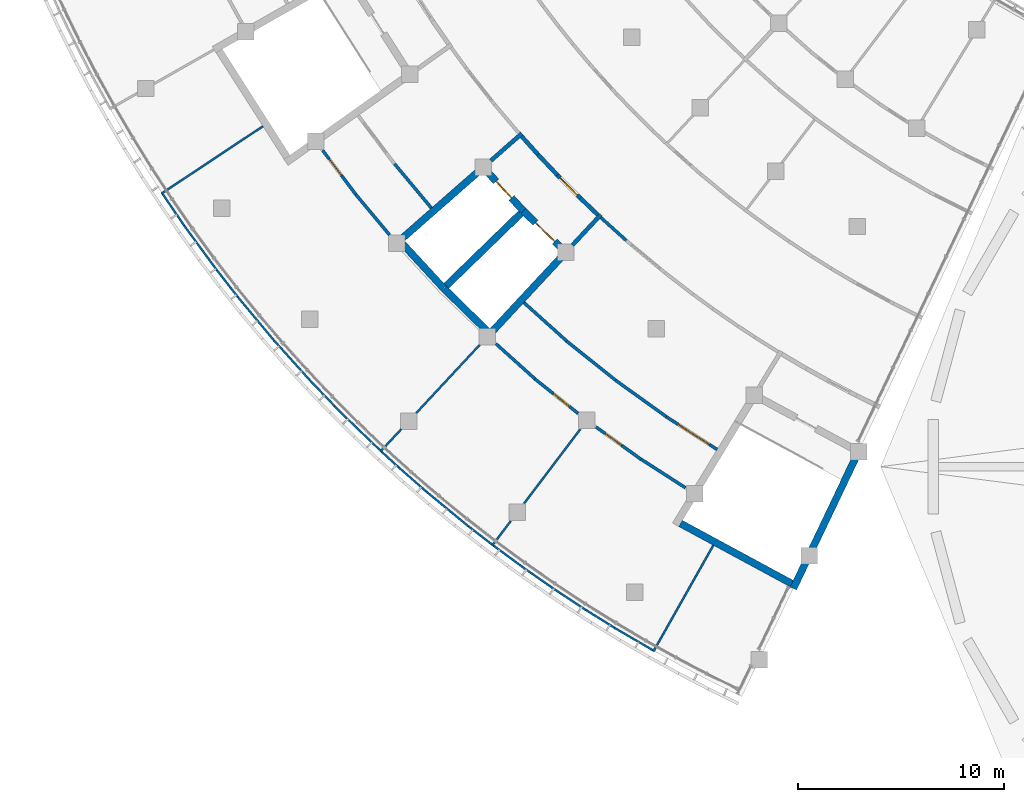
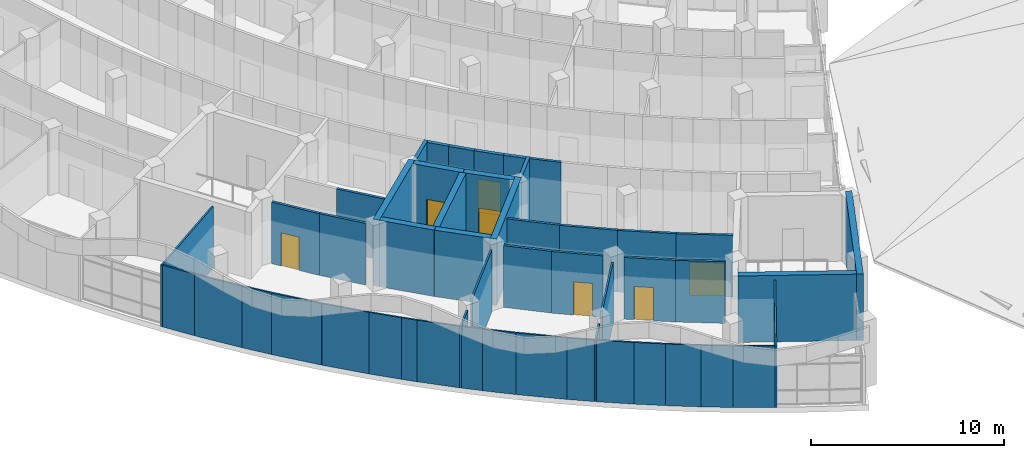
# One storey, part 63 of 137: 50 walls, 7 doors, 7 openings.
"""IFC4 building model written with IfcOpenShell, lengths in metres."""

from ifc_helpers import new_model, si_unit, direction, frame, frame_2d, origin, place, context, subcontext, project, spatial, rectangle, extrude, material, layer, layer_set, type_object, element, fill, save


model = new_model("IFC4")

# Units and contexts
model_context = context("Model", 3, precision=1e-05, world=origin(), true_north=direction((0.0, 1.0)))
body_context = subcontext(model_context, "Body", "Model", "MODEL_VIEW")
ifc_project = project(units=[si_unit("LENGTHUNIT", "METRE"), si_unit("AREAUNIT", "SQUARE_METRE"), si_unit("VOLUMEUNIT", "CUBIC_METRE"), si_unit("PLANEANGLEUNIT", "RADIAN"), si_unit("MASSUNIT", "GRAM", prefix="KILO")], contexts=[model_context])

# Site, building, storey
site_placement = place(None, origin())
site = spatial("IfcSite", under=ifc_project, at=site_placement, CompositionType="ELEMENT")
building_placement = place(site_placement, origin())
building = spatial("IfcBuilding", under=site, at=building_placement, Name="Bougainvillea Quay General Hospital", CompositionType="ELEMENT")
storey_placement = place(building_placement, frame((0.0, 0.0, 16.800048828125)))
storey = spatial("IfcBuildingStorey", under=building, at=storey_placement, Name="L03", CompositionType="ELEMENT", Elevation=16.800048828125)

# Walls
ifc_material_1 = material(Name="Gypsum board partition on steel studs", Category="steel")
ifc_layer_1 = layer(ifc_material_1, 0.10009765625)
ifc_layer_set_1 = layer_set([ifc_layer_1], Name="Gypsum board partition on steel studs")
wall_type_1 = type_object("IfcWallType", Name="Partition 100 Gypsum board partition EI 30", PredefinedType="PARTITIONING", material=ifc_layer_set_1)
wall_1_placement = place(storey_placement, frame((61.48681640625, 74.719482421875, 0.0), z_axis=(0.0, 0.0, 1.0), x_axis=(0.681355821593, 0.731952351168, 0.0)))
element("IfcWall", 1, at=wall_1_placement, inside=storey, type_object=wall_type_1, Name="Partition 100 mm EI 30", PredefinedType="PARTITIONING", context=body_context, shape_type="SweptSolid", body=[
    extrude(rectangle(XDim=1.51025390625, YDim=0.10009765625, at=frame_2d((0.755126953125, 0.0))), origin(), (0.0, 0.0, 1.0), 3.89990234375),
])
wall_2_placement = place(storey_placement, frame((63.244140625, 76.607421875, 0.0), z_axis=(0.0, 0.0, 1.0), x_axis=(0.681263193371, 0.732038565485, 0.0)))
element("IfcWall", 2, at=wall_2_placement, inside=storey, type_object=wall_type_1, Name="Partition 100 mm EI 30", PredefinedType="PARTITIONING", context=body_context, shape_type="SweptSolid", body=[
    extrude(rectangle(XDim=4.529296875, YDim=0.10009765625, at=frame_2d((2.2646484375, 0.0))), origin(), (0.0, 0.0, 1.0), 3.89990234375),
])
wall_3_placement = place(storey_placement, frame((66.923828125, 70.150146484375, 0.0), z_axis=(0.0, 0.0, 1.0), x_axis=(0.603623668166, 0.797269381846, 0.0)))
element("IfcWall", 3, at=wall_3_placement, inside=storey, type_object=wall_type_1, Name="Partition 100 mm EI 30", PredefinedType="PARTITIONING", context=body_context, shape_type="SweptSolid", body=[
    extrude(rectangle(XDim=1.506591796875, YDim=0.10009765625, at=frame_2d((0.75341796875, 0.0))), origin(), (0.0, 0.0, 1.0), 3.89990234375),
])
wall_4_placement = place(storey_placement, frame((68.4833984375, 72.210693359375, 0.0), z_axis=(0.0, 0.0, 1.0), x_axis=(0.603594766434, 0.797291262923, 0.0)))
element("IfcWall", 4, at=wall_4_placement, inside=storey, type_object=wall_type_1, Name="Partition 100 mm EI 30", PredefinedType="PARTITIONING", context=body_context, shape_type="SweptSolid", body=[
    extrude(rectangle(XDim=4.523681640625, YDim=0.10009765625, at=frame_2d((2.26171875, 0.0))), origin(), (0.0, 0.0, 1.0), 3.89990234375),
])
wall_5_placement = place(storey_placement, frame((74.763427734375, 65.00439453125, 0.0), z_axis=(0.0, 0.0, 1.0), x_axis=(0.491667244237, 0.870783165285, 0.0)))
element("IfcWall", 5, at=wall_5_placement, inside=storey, type_object=wall_type_1, Name="Partition 100 mm EI 30", PredefinedType="PARTITIONING", context=body_context, shape_type="SweptSolid", body=[
    extrude(rectangle(XDim=5.94140625, YDim=0.10009765625, at=frame_2d((2.970703125, 0.0))), origin(), (0.0, 0.0, 1.0), 3.89990234375),
])
wall_6_placement = place(storey_placement, frame((50.84228515625, 87.26220703125, 0.0), z_axis=(0.0, 0.0, 1.0), x_axis=(0.833066771492, 0.553172445297, 0.0)))
element("IfcWall", 6, at=wall_6_placement, inside=storey, type_object=wall_type_1, Name="Partition 100 mm EI 30", PredefinedType="PARTITIONING", context=body_context, shape_type="SweptSolid", body=[
    extrude(rectangle(XDim=5.94091796875, YDim=0.10009765625, at=frame_2d((2.970458984375, 0.0))), origin(), (0.0, 0.0, 1.0), 3.89990234375),
])
wall_7_placement = place(storey_placement, frame((54.56201171875, 82.247314453125, 0.0), z_axis=(0.0, 0.0, 1.0), x_axis=(0.640436201221, -0.768011375024, 0.0)))
element("IfcWall", 7, at=wall_7_placement, inside=storey, type_object=wall_type_1, Name="Partition 100 mm EI 30", PredefinedType="PARTITIONING", context=body_context, shape_type="SweptSolid", body=[
    extrude(rectangle(XDim=2.765380859375, YDim=0.10009765625, at=frame_2d((1.3828125, 0.0))), origin(), (0.0, 0.0, 1.0), 3.89990234375),
])
wall_8_placement = place(storey_placement, frame((56.333251953125, 80.126220703125, 0.0), z_axis=(0.0, 0.0, 1.0), x_axis=(0.66858915831, -0.743631990564, 0.0)))
element("IfcWall", 8, at=wall_8_placement, inside=storey, type_object=wall_type_1, Name="Partition 100 mm EI 30", PredefinedType="PARTITIONING", context=body_context, shape_type="SweptSolid", body=[
    extrude(rectangle(XDim=2.58642578125, YDim=0.10009765625, at=frame_2d((1.293212890625, 0.0))), origin(), (0.0, 0.0, 1.0), 3.89990234375),
])
wall_9_placement = place(storey_placement, frame((51.95947265625, 85.711181640625, 0.0), z_axis=(0.0, 0.0, 1.0), x_axis=(0.591667432582, -0.806182143949, 0.0)))
element("IfcWall", 9, at=wall_9_placement, inside=storey, type_object=wall_type_1, Name="Partition 100 mm EI 30", PredefinedType="PARTITIONING", context=body_context, shape_type="SweptSolid", body=[
    extrude(rectangle(XDim=2.6826171875, YDim=0.10009765625, at=frame_2d((1.34130859375, 0.0))), origin(), (0.0, 0.0, 1.0), 3.89990234375),
])
wall_10_placement = place(storey_placement, frame((63.71044921875, 72.80078125, 0.0), z_axis=(0.0, 0.0, 1.0), x_axis=(0.771761657829, -0.635911899169, 0.0)))
element("IfcWall", 10, at=wall_10_placement, inside=storey, type_object=wall_type_1, Name="Partition 100 mm EI 30", PredefinedType="PARTITIONING", context=body_context, shape_type="SweptSolid", body=[
    extrude(rectangle(XDim=2.676025390625, YDim=0.10009765625, at=frame_2d((1.337890625, 0.0))), origin(), (0.0, 0.0, 1.0), 3.89990234375),
])
wall_11_placement = place(storey_placement, frame((59.848876953125, 76.361572265625, 0.0), z_axis=(0.0, 0.0, 1.0), x_axis=(0.721335676567, -0.692585620492, 0.0)))
element("IfcWall", 11, at=wall_11_placement, inside=storey, type_object=wall_type_1, Name="Partition 100 mm EI 30", PredefinedType="PARTITIONING", context=body_context, shape_type="SweptSolid", body=[
    extrude(rectangle(XDim=2.267333984375, YDim=0.10009765625, at=frame_2d((1.1337890625, 0.0))), origin(), (0.0, 0.0, 1.0), 3.89990234375),
])
wall_12_placement = place(storey_placement, frame((72.868896484375, 66.167236328125, 0.0), z_axis=(0.0, 0.0, 1.0), x_axis=(0.863807451605, -0.50382207827, 0.0)))
element("IfcWall", 12, at=wall_12_placement, inside=storey, type_object=wall_type_1, Name="Partition 100 mm EI 30", PredefinedType="PARTITIONING", context=body_context, shape_type="SweptSolid", body=[
    extrude(rectangle(XDim=2.1708984375, YDim=0.10009765625, at=frame_2d((1.08544921875, 0.0))), origin(), (0.0, 0.0, 1.0), 3.89990234375),
])
wall_13_placement = place(storey_placement, frame((50.91259765625, 87.248291015625, 0.0), z_axis=(0.0, 0.0, 1.0), x_axis=(0.563658336128, -0.826008038771, 0.0)))
element("IfcWall", 13, at=wall_13_placement, inside=storey, type_object=wall_type_1, Name="Partition 100 mm EI 30", PredefinedType="PARTITIONING", context=body_context, shape_type="SweptSolid", body=[
    extrude(rectangle(XDim=1.861083984375, YDim=0.10009765625, at=frame_2d((0.9306640625, 0.0))), origin(), (0.0, 0.0, 1.0), 3.89990234375),
])
wall_14_placement = place(storey_placement, frame((66.994873046875, 70.159912109375, 0.0), z_axis=(0.0, 0.0, 1.0), x_axis=(0.805218695453, -0.592977952788, 0.0)))
element("IfcWall", 14, at=wall_14_placement, inside=storey, type_object=wall_type_1, Name="Partition 100 mm EI 30", PredefinedType="PARTITIONING", context=body_context, shape_type="SweptSolid", body=[
    extrude(rectangle(XDim=1.958984375, YDim=0.10009765625, at=frame_2d((0.9794921875, 0.0))), origin(), (0.0, 0.0, 1.0), 3.89990234375),
])
wall_15_placement = place(storey_placement, frame((62.393310546875, 73.955810546875, 0.0), z_axis=(0.0, 0.0, 1.0), x_axis=(0.75241276557, -0.658691908412, 0.0)))
element("IfcWall", 15, at=wall_15_placement, inside=storey, type_object=wall_type_1, Name="Partition 100 mm EI 30", PredefinedType="PARTITIONING", context=body_context, shape_type="SweptSolid", body=[
    extrude(rectangle(XDim=1.753173828125, YDim=0.10009765625, at=frame_2d((0.87646484375, 0.0))), origin(), (0.0, 0.0, 1.0), 3.89990234375),
])
wall_16_placement = place(storey_placement, frame((53.546875, 83.55078125, 0.0), z_axis=(0.0, 0.0, 1.0), x_axis=(0.615268617412, -0.788317530205, 0.0)))
element("IfcWall", 16, at=wall_16_placement, inside=storey, type_object=wall_type_1, Name="Partition 100 mm EI 30", PredefinedType="PARTITIONING", context=body_context, shape_type="SweptSolid", body=[
    extrude(rectangle(XDim=1.653564453125, YDim=0.10009765625, at=frame_2d((0.82666015625, 0.0))), origin(), (0.0, 0.0, 1.0), 3.89990234375),
])
wall_17_placement = place(storey_placement, frame((58.0625, 78.204833984375, 0.0), z_axis=(0.0, 0.0, 1.0), x_axis=(0.691314467962, -0.722554016242, 0.0)))
element("IfcWall", 17, at=wall_17_placement, inside=storey, type_object=wall_type_1, Name="Partition 100 mm EI 30", PredefinedType="PARTITIONING", context=body_context, shape_type="SweptSolid", body=[
    extrude(rectangle(XDim=1.75048828125, YDim=0.10009765625, at=frame_2d((0.875244140625, 0.0))), origin(), (0.0, 0.0, 1.0), 3.89990234375),
])
wall_18_placement = place(storey_placement, frame((69.92626953125, 68.0576171875, 0.0), z_axis=(0.0, 0.0, 1.0), x_axis=(0.834762349, -0.55061040736, 0.0)))
element("IfcWall", 18, at=wall_18_placement, inside=storey, type_object=wall_type_1, Name="Partition 100 mm EI 30", PredefinedType="PARTITIONING", context=body_context, shape_type="SweptSolid", body=[
    extrude(rectangle(XDim=1.848876953125, YDim=0.10009765625, at=frame_2d((0.92431640625, 0.0))), origin(), (0.0, 0.0, 1.0), 3.89990234375),
])
for number, where, z_axis, x_axis, name in (
    (19, (68.572021484375, 69.000244140625, 0.0), (0.0, 0.0, 1.0), (0.821158255206, -0.570700551872, 0.0), "Partition 100 mm EI 30"),
    (20, (71.469482421875, 67.041259765625, 0.0), (0.0, 0.0, 1.0), (0.848628949845, -0.528988568388, 0.0), "Partition 100 mm EI 30"),
):
    element("IfcWall", number, at=place(storey_placement, frame(where, z_axis=z_axis, x_axis=x_axis)), inside=storey, type_object=wall_type_1, Name=name, PredefinedType="PARTITIONING", context=body_context, shape_type="SweptSolid", body=[
        extrude(rectangle(XDim=1.6513671875, YDim=0.10009765625, at=frame_2d((0.82568359375, 0.0))), origin(), (0.0, 0.0, 1.0), 3.89990234375),
    ])
wall_19_placement = place(storey_placement, frame((65.775390625, 71.101318359375, 0.0), z_axis=(0.0, 0.0, 1.0), x_axis=(0.791120835922, -0.611659891581, 0.0)))
element("IfcWall", 21, at=wall_19_placement, inside=storey, type_object=wall_type_1, Name="Partition 100 mm EI 30", PredefinedType="PARTITIONING", context=body_context, shape_type="SweptSolid", body=[
    extrude(rectangle(XDim=1.439208984375, YDim=0.10009765625, at=frame_2d((0.7197265625, 0.0))), origin(), (0.0, 0.0, 1.0), 3.89990234375),
])
wall_20_placement = place(storey_placement, frame((61.55810546875, 74.721923828125, 0.0), z_axis=(0.0, 0.0, 1.0), x_axis=(0.737725592981, -0.675100695794, 0.0)))
element("IfcWall", 22, at=wall_20_placement, inside=storey, type_object=wall_type_1, Name="Partition 100 mm EI 30", PredefinedType="PARTITIONING", context=body_context, shape_type="SweptSolid", body=[
    extrude(rectangle(XDim=1.134521484375, YDim=0.10009765625, at=frame_2d((0.5673828125, 0.0))), origin(), (0.0, 0.0, 1.0), 3.89990234375),
])
wall_21_placement = place(storey_placement, frame((59.272705078125, 76.94140625, 0.0), z_axis=(0.0, 0.0, 1.0), x_axis=(0.705912346609, -0.708299201542, 0.0)))
element("IfcWall", 23, at=wall_21_placement, inside=storey, type_object=wall_type_1, Name="Partition 100 mm EI 30", PredefinedType="PARTITIONING", context=body_context, shape_type="SweptSolid", body=[
    extrude(rectangle(XDim=0.818359375, YDim=0.10009765625, at=frame_2d((0.4091796875, 0.0))), origin(), (0.0, 0.0, 1.0), 3.89990234375),
])

# Wall, opening, door
ifc_material_2 = material(Name="Gypsum board partition on steel studs, insulated", Category="steel")
ifc_layer_2 = layer(ifc_material_2, 0.14990234375)
ifc_layer_set_2 = layer_set([ifc_layer_2], Name="Gypsum board partition on steel studs, insulated")
wall_type_2 = type_object("IfcWallType", Name="Partition 150 Gypsum board partition EI 30", PredefinedType="PARTITIONING", material=ifc_layer_set_2)
wall_22_placement = place(storey_placement, frame((58.695068359375, 89.372802734375, 0.0), z_axis=(0.0, 0.0, 1.0), x_axis=(0.600189191088, -0.799858071724, 0.0)))
wall_22 = element("IfcWall", 24, at=wall_22_placement, inside=storey, type_object=wall_type_2, Name="Partition 150 mm EI 30", PredefinedType="PARTITIONING", context=body_context, shape_type="SweptSolid", body=[
    extrude(rectangle(XDim=2.683837890625, YDim=0.14990234375, at=frame_2d((1.341796875, 0.0))), origin(), (0.0, 0.0, 1.0), 3.89990234375),
])
opening_1_placement = place(wall_22_placement, frame((0.5263671875, 0.0, 0.0)))
opening_1 = element("IfcOpeningElement", 25, at=opening_1_placement, cuts=wall_22, Name="Opening L03.167", PredefinedType="OPENING", context=body_context, shape_type="SweptSolid", body=[
    extrude(rectangle(XDim=1.0, YDim=2.10009765625, at=frame_2d((0.5, 1.050048828125))), frame((0.0, 0.0849609375, 0.0), z_axis=(0.0, -1.0, 0.0), x_axis=(1.0, 0.0, 0.0)), (0.0, 0.0, 1.0), 0.169921875),
])
ifc_material_3 = material(Name="Solid-core timber door leaf in steel frame", Category="steel")
door_type_1 = type_object("IfcDoorType", Name="Single leaf door 1000x2100 FD30S", OperationType="NOTDEFINED", PredefinedType="DOOR", material=ifc_material_3)
door_1_placement = place(opening_1_placement, frame((1.0, 0.0, 0.0), z_axis=(0.0, 0.0, 1.0), x_axis=(-1.0, 0.0, 0.0)))
door_1 = element("IfcDoor", 26, at=door_1_placement, inside=storey, type_object=door_type_1, Name="DT15 L03.167", OperationType="SINGLE_SWING_RIGHT", OverallHeight=2.10009765625, OverallWidth=1.0, PredefinedType="DOOR", context=body_context, shape_type="SweptSolid", body=[
    extrude(rectangle(XDim=1.0, YDim=2.10009765625, at=frame_2d((0.5, 1.050048828125))), frame((0.0, 0.02490234375, 0.0), z_axis=(0.0, -1.0, 0.0), x_axis=(1.0, 0.0, 0.0)), (0.0, 0.0, 1.0), 0.050048828125),
])
fill(opening_1, door_1)

wall_23_placement = place(storey_placement, frame((71.98193359375, 75.928955078125, 0.0), z_axis=(0.0, 0.0, 1.0), x_axis=(0.812329236441, -0.583199118332, 0.0)))
wall_23 = element("IfcWall", 27, at=wall_23_placement, inside=storey, type_object=wall_type_2, Name="Partition 150 mm EI 30", PredefinedType="PARTITIONING", context=body_context, shape_type="SweptSolid", body=[
    extrude(rectangle(XDim=2.694580078125, YDim=0.14990234375, at=frame_2d((1.34716796875, 0.0))), origin(), (0.0, 0.0, 1.0), 3.89990234375),
])
opening_2_placement = place(wall_23_placement, frame((0.537353515625, 0.0, 0.0)))
opening_2 = element("IfcOpeningElement", 28, at=opening_2_placement, cuts=wall_23, Name="Opening L03.165", PredefinedType="OPENING", context=body_context, shape_type="SweptSolid", body=[
    extrude(rectangle(XDim=1.0, YDim=2.10009765625, at=frame_2d((0.5, 1.050048828125))), frame((0.0, 0.0849609375, 0.0), z_axis=(0.0, -1.0, 0.0), x_axis=(1.0, 0.0, 0.0)), (0.0, 0.0, 1.0), 0.169921875),
])
door_2_placement = place(opening_2_placement, frame((1.0, 0.0, 0.0), z_axis=(0.0, 0.0, 1.0), x_axis=(-1.0, 0.0, 0.0)))
door_2 = element("IfcDoor", 29, at=door_2_placement, inside=storey, type_object=door_type_1, Name="DT15 L03.165", OperationType="SINGLE_SWING_RIGHT", OverallHeight=2.10009765625, OverallWidth=1.0, PredefinedType="DOOR", context=body_context, shape_type="SweptSolid", body=[
    extrude(rectangle(XDim=1.0, YDim=2.10009765625, at=frame_2d((0.5, 1.050048828125))), frame((0.0, 0.02490234375, 0.0), z_axis=(0.0, -1.0, 0.0), x_axis=(1.0, 0.0, 0.0)), (0.0, 0.0, 1.0), 0.050048828125),
])
fill(opening_2, door_2)

# Wall
wall_24_placement = place(storey_placement, frame((60.306640625, 87.231201171875, 0.0), z_axis=(0.0, 0.0, 1.0), x_axis=(0.64023135863, -0.768182144694, 0.0)))
element("IfcWall", 30, at=wall_24_placement, inside=storey, type_object=wall_type_2, Name="Partition 150 mm EI 30", PredefinedType="PARTITIONING", context=body_context, shape_type="SweptSolid", body=[
    extrude(rectangle(XDim=2.556884765625, YDim=0.14990234375, at=frame_2d((1.2783203125, 0.0))), origin(), (0.0, 0.0, 1.0), 3.89990234375),
])

# Wall, opening, door
wall_25_placement = place(storey_placement, frame((69.00634765625, 78.266845703125, 0.0), z_axis=(0.0, 0.0, 1.0), x_axis=(0.781841800916, -0.623476862715, 0.0)))
wall_25 = element("IfcWall", 31, at=wall_25_placement, inside=storey, type_object=wall_type_2, Name="Partition 150 mm EI 30", PredefinedType="PARTITIONING", context=body_context, shape_type="SweptSolid", body=[
    extrude(rectangle(XDim=2.690185546875, YDim=0.14990234375, at=frame_2d((1.34521484375, 0.0))), origin(), (0.0, 0.0, 1.0), 3.89990234375),
])
opening_3_placement = place(wall_25_placement, frame((1.1572265625, 0.0, 0.0)))
opening_3 = element("IfcOpeningElement", 32, at=opening_3_placement, cuts=wall_25, Name="Opening L03.166", PredefinedType="OPENING", context=body_context, shape_type="SweptSolid", body=[
    extrude(rectangle(XDim=1.0, YDim=2.10009765625, at=frame_2d((0.5, 1.050048828125))), frame((0.0, 0.0849609375, 0.0), z_axis=(0.0, -1.0, 0.0), x_axis=(1.0, 0.0, 0.0)), (0.0, 0.0, 1.0), 0.169921875),
])
door_3_placement = place(opening_3_placement, frame((1.0, 0.0, 0.0), z_axis=(0.0, 0.0, 1.0), x_axis=(-1.0, 0.0, 0.0)))
door_3 = element("IfcDoor", 33, at=door_3_placement, inside=storey, type_object=door_type_1, Name="DT15 L03.166", OperationType="SINGLE_SWING_LEFT", OverallHeight=2.10009765625, OverallWidth=1.0, PredefinedType="DOOR", context=body_context, shape_type="SweptSolid", body=[
    extrude(rectangle(XDim=1.0, YDim=2.10009765625, at=frame_2d((0.5, 1.050048828125))), frame((0.0, 0.02490234375, 0.0), z_axis=(0.0, -1.0, 0.0), x_axis=(1.0, 0.0, 0.0)), (0.0, 0.0, 1.0), 0.050048828125),
])
fill(opening_3, door_3)

# Walls
wall_26_placement = place(storey_placement, frame((74.169921875, 74.3623046875, 0.0), z_axis=(0.0, 0.0, 1.0), x_axis=(0.840928399131, -0.541146401203, 0.0)))
element("IfcWall", 34, at=wall_26_placement, inside=storey, type_object=wall_type_2, Name="Partition 150 mm EI 30", PredefinedType="PARTITIONING", context=body_context, shape_type="SweptSolid", body=[
    extrude(rectangle(XDim=2.5703125, YDim=0.14990234375, at=frame_2d((1.28515625, 0.0))), origin(), (0.0, 0.0, 1.0), 3.89990234375),
])
wall_27_placement = place(storey_placement, frame((67.119873046875, 79.970703125, 0.0), z_axis=(0.0, 0.0, 1.0), x_axis=(0.743284610851, -0.668975326355, 0.0)))
element("IfcWall", 35, at=wall_27_placement, inside=storey, type_object=wall_type_2, Name="Partition 150 mm EI 30", PredefinedType="PARTITIONING", context=body_context, shape_type="SweptSolid", body=[
    extrude(rectangle(XDim=2.546142578125, YDim=0.14990234375, at=frame_2d((1.27294921875, 0.0))), origin(), (0.0, 0.0, 1.0), 3.89990234375),
])

# Wall, opening, door
wall_28_placement = place(storey_placement, frame((75.39599609375, 76.426513671875, 0.0), z_axis=(0.0, 0.0, 1.0), x_axis=(0.840919451001, -0.541160306128, 0.0)))
wall_28 = element("IfcWall", 36, at=wall_28_placement, inside=storey, type_object=wall_type_2, Name="Partition 150 mm EI 30", PredefinedType="PARTITIONING", context=body_context, shape_type="SweptSolid", body=[
    extrude(rectangle(XDim=2.94091796875, YDim=0.14990234375, at=frame_2d((1.470458984375, 0.0))), origin(), (0.0, 0.0, 1.0), 3.89990234375),
])
opening_4_placement = place(wall_28_placement, frame((0.696533203125, 0.0, 0.0)))
opening_4 = element("IfcOpeningElement", 37, at=opening_4_placement, cuts=wall_28, Name="Opening L03.139", PredefinedType="OPENING", context=body_context, shape_type="SweptSolid", body=[
    extrude(rectangle(XDim=1.800048828125, YDim=2.10009765625, at=frame_2d((0.89990234375, 1.050048828125))), frame((0.0, 0.0849609375, 0.0), z_axis=(0.0, -1.0, 0.0), x_axis=(1.0, 0.0, 0.0)), (0.0, 0.0, 1.0), 0.169921875),
])
ifc_material_4 = material(Name="Solid-core timber door leaves in steel frame", Category="steel")
door_type_2 = type_object("IfcDoorType", Name="Double leaf door 1800x2100", OperationType="DOUBLE_DOOR_SINGLE_SWING", PredefinedType="DOOR", material=ifc_material_4)
door_4_placement = place(opening_4_placement, frame((1.800048828125, 0.0, 0.0), z_axis=(0.0, 0.0, 1.0), x_axis=(-1.0, 0.0, 0.0)))
door_4 = element("IfcDoor", 38, at=door_4_placement, inside=storey, type_object=door_type_2, Name="DT08 L03.139", OperationType="DOUBLE_DOOR_SINGLE_SWING", OverallHeight=2.10009765625, OverallWidth=1.800048828125, PredefinedType="DOOR", context=body_context, shape_type="SweptSolid", body=[
    extrude(rectangle(XDim=1.800048828125, YDim=2.10009765625, at=frame_2d((0.89990234375, 1.050048828125))), frame((0.0, 0.02490234375, 0.0), z_axis=(0.0, -1.0, 0.0), x_axis=(1.0, 0.0, 0.0)), (0.0, 0.0, 1.0), 0.050048828125),
])
fill(opening_4, door_4)

# Walls
for number, where, z_axis, x_axis, name in (
    (39, (72.926025390625, 78.20361328125, 0.0), (0.0, 0.0, 1.0), (0.812431785264, -0.583056253112, 0.0), "Partition 150 mm EI 30"),
    (40, (70.55029296875, 80.104736328125, 0.0), (0.0, 0.0, 1.0), (0.781595469587, -0.623785637797, 0.0), "Partition 150 mm EI 30"),
):
    element("IfcWall", number, at=place(storey_placement, frame(where, z_axis=z_axis, x_axis=x_axis)), inside=storey, type_object=wall_type_2, Name=name, PredefinedType="PARTITIONING", context=body_context, shape_type="SweptSolid", body=[
        extrude(rectangle(XDim=3.046142578125, YDim=0.14990234375, at=frame_2d((1.52294921875, 0.0))), origin(), (0.0, 0.0, 1.0), 3.89990234375),
    ])
wall_29_placement = place(storey_placement, frame((62.188720703125, 88.72021484375, 0.0), z_axis=(0.0, 0.0, 1.0), x_axis=(0.640253147886, -0.7681639842, 0.0)))
element("IfcWall", 41, at=wall_29_placement, inside=storey, type_object=wall_type_2, Name="Partition 150 mm EI 30", PredefinedType="PARTITIONING", context=body_context, shape_type="SweptSolid", body=[
    extrude(rectangle(XDim=2.794189453125, YDim=0.14990234375, at=frame_2d((1.39697265625, 0.0))), origin(), (0.0, 0.0, 1.0), 3.89990234375),
])
wall_30_placement = place(storey_placement, frame((68.478271484375, 81.97412109375, 0.0), z_axis=(0.0, 0.0, 1.0), x_axis=(0.743546016741, -0.66868476952, 0.0)))
element("IfcWall", 42, at=wall_30_placement, inside=storey, type_object=wall_type_2, Name="Partition 150 mm EI 30", PredefinedType="PARTITIONING", context=body_context, shape_type="SweptSolid", body=[
    extrude(rectangle(XDim=2.794921875, YDim=0.14990234375, at=frame_2d((1.3974609375, 0.0))), origin(), (0.0, 0.0, 1.0), 3.89990234375),
])
wall_31_placement = place(storey_placement, frame((72.219970703125, 86.104736328125, 0.0), z_axis=(0.0, 0.0, 1.0), x_axis=(0.743337937966, -0.668916070954, 0.0)))
element("IfcWall", 43, at=wall_31_placement, inside=storey, type_object=wall_type_2, Name="Partition 150 mm EI 30", PredefinedType="PARTITIONING", context=body_context, shape_type="SweptSolid", body=[
    extrude(rectangle(XDim=1.663330078125, YDim=0.14990234375, at=frame_2d((0.83154296875, 0.0))), origin(), (0.0, 0.0, 1.0), 3.89990234375),
])
ifc_material_5 = material(Name="Fire-rated autoclaved aerated block wall, plastered")
ifc_layer_3 = layer(ifc_material_5, 0.199951171875)
ifc_layer_set_3 = layer_set([ifc_layer_3], Name="Fire-rated autoclaved aerated block wall, plastered")
wall_type_3 = type_object("IfcWallType", Name="Partition 200 Fire-rated autoclaved aerated block wall EI 120", PredefinedType="SOLIDWALL", material=ifc_layer_set_3)
wall_32_placement = place(storey_placement, frame((70.83740234375, 84.768798828125, 0.0), z_axis=(0.0, 0.0, 1.0), x_axis=(0.681244203436, 0.732056237789, 0.0)))
element("IfcWall", 44, at=wall_32_placement, inside=storey, type_object=wall_type_3, Name="Partition 200 mm EI 120", PredefinedType="SOLIDWALL", context=body_context, shape_type="SweptSolid", body=[
    extrude(rectangle(XDim=2.01806640625, YDim=0.199951171875, at=frame_2d((1.009033203125, 0.0))), origin(), (0.0, 0.0, 1.0), 3.89990234375),
])
wall_33_placement = place(storey_placement, frame((66.869140625, 88.874267578125, 0.0), z_axis=(0.0, 0.0, 1.0), x_axis=(0.751874567132, 0.659306177205, 0.0)))
element("IfcWall", 45, at=wall_33_placement, inside=storey, type_object=wall_type_3, Name="Partition 200 mm EI 120", PredefinedType="SOLIDWALL", context=body_context, shape_type="SweptSolid", body=[
    extrude(rectangle(XDim=2.00439453125, YDim=0.199951171875, at=frame_2d((1.002197265625, 0.0))), origin(), (0.0, 0.0, 1.0), 3.89990234375),
])

# Wall, opening, door
wall_34_placement = place(storey_placement, frame((70.101318359375, 88.173828125, 0.0), z_axis=(0.0, 0.0, 1.0), x_axis=(0.705714994949, -0.708495833371, 0.0)))
wall_34 = element("IfcWall", 46, at=wall_34_placement, inside=storey, type_object=wall_type_3, Name="Partition 200 mm EI 120", PredefinedType="SOLIDWALL", context=body_context, shape_type="SweptSolid", body=[
    extrude(rectangle(XDim=1.580322265625, YDim=0.199951171875, at=frame_2d((0.7900390625, 0.0))), origin(), (0.0, 0.0, 1.0), 3.89990234375),
])
opening_5_placement = place(wall_34_placement, frame((0.190185546875, 0.0, 0.0)))
opening_5 = element("IfcOpeningElement", 47, at=opening_5_placement, cuts=wall_34, Name="Opening L03.151", PredefinedType="OPENING", context=body_context, shape_type="SweptSolid", body=[
    extrude(rectangle(XDim=1.199951171875, YDim=2.10009765625, at=frame_2d((0.60009765625, 1.050048828125))), frame((0.0, 0.10986328125, 0.0), z_axis=(0.0, -1.0, 0.0), x_axis=(1.0, 0.0, 0.0)), (0.0, 0.0, 1.0), 0.219970703125),
])
door_type_3 = type_object("IfcDoorType", Name="Single leaf door 1200x2100 FD60", OperationType="NOTDEFINED", PredefinedType="DOOR", material=ifc_material_3)
door_5_placement = place(opening_5_placement, frame((1.199951171875, 0.0, 0.0), z_axis=(0.0, 0.0, 1.0), x_axis=(-1.0, 0.0, 0.0)))
door_5 = element("IfcDoor", 48, at=door_5_placement, inside=storey, type_object=door_type_3, Name="DT12 L03.151", OperationType="SINGLE_SWING_LEFT", OverallHeight=2.10009765625, OverallWidth=1.199951171875, PredefinedType="DOOR", context=body_context, shape_type="SweptSolid", body=[
    extrude(rectangle(XDim=1.199951171875, YDim=2.10009765625, at=frame_2d((0.60009765625, 1.050048828125))), frame((0.0, 0.02490234375, 0.0), z_axis=(0.0, -1.0, 0.0), x_axis=(1.0, 0.0, 0.0)), (0.0, 0.0, 1.0), 0.050048828125),
])
fill(opening_5, door_5)

# Walls
wall_35_placement = place(storey_placement, frame((69.1552734375, 89.177490234375, 0.0), z_axis=(0.0, 0.0, 1.0), x_axis=(0.687313254989, -0.726361128858, 0.0)))
element("IfcWall", 49, at=wall_35_placement, inside=storey, type_object=wall_type_3, Name="Partition 200 mm EI 120", PredefinedType="SOLIDWALL", context=body_context, shape_type="SweptSolid", body=[
    extrude(rectangle(XDim=1.3818359375, YDim=0.199951171875, at=frame_2d((0.69091796875, 0.0))), origin(), (0.0, 0.0, 1.0), 3.89990234375),
])
for number, where, z_axis, x_axis, name in (
    (50, (68.368896484375, 90.0546875, 0.0), (0.0, 0.0, 1.0), (0.669113274241, -0.74316043102, 0.0), "Partition 200 mm EI 120"),
    (51, (71.216552734375, 87.0576171875, 0.0), (0.0, 0.0, 1.0), (0.723660671666, -0.6901559478, 0.0), "Partition 200 mm EI 120"),
):
    element("IfcWall", number, at=place(storey_placement, frame(where, z_axis=z_axis, x_axis=x_axis)), inside=storey, type_object=wall_type_3, Name=name, PredefinedType="SOLIDWALL", context=body_context, shape_type="SweptSolid", body=[
        extrude(rectangle(XDim=1.180419921875, YDim=0.199951171875, at=frame_2d((0.59033203125, 0.0))), origin(), (0.0, 0.0, 1.0), 3.89990234375),
    ])
ifc_material_6 = material(Name="Concrete C40", Category="concrete")
ifc_layer_4 = layer(ifc_material_6, 0.35009765625)
ifc_layer_set_4 = layer_set([ifc_layer_4], Name="Concrete C40")
wall_type_4 = type_object("IfcWallType", Name="RC SHEAR WALL 350 C40", PredefinedType="SHEAR", material=ifc_layer_set_4)
wall_36_placement = place(storey_placement, frame((62.305419921875, 84.87158203125, 0.0), z_axis=(0.0, 0.0, 1.0), x_axis=(0.751808220443, 0.659381831471, 0.0)))
element("IfcWall", 52, at=wall_36_placement, inside=storey, type_object=wall_type_4, Name="Shear wall L03", PredefinedType="SHEAR", context=body_context, shape_type="SweptSolid", body=[
    extrude(rectangle(XDim=5.75048828125, YDim=0.35009765625, at=frame_2d((2.875244140625, 0.0))), origin(), (0.0, 0.0, 1.0), 4.199951171875),
])
wall_37_placement = place(storey_placement, frame((62.5556640625, 84.8583984375, 0.0), z_axis=(0.0, 0.0, 1.0), x_axis=(0.67818124014, -0.73489469009, 0.0)))
element("IfcWall", 53, at=wall_37_placement, inside=storey, type_object=wall_type_4, Name="Shear wall L03", PredefinedType="SHEAR", context=body_context, shape_type="SweptSolid", body=[
    extrude(rectangle(XDim=2.974609375, YDim=0.35009765625, at=frame_2d((1.4873046875, 0.0))), origin(), (0.0, 0.0, 1.0), 4.199951171875),
])
wall_38_placement = place(storey_placement, frame((64.5791015625, 82.665771484375, 0.0), z_axis=(0.0, 0.0, 1.0), x_axis=(0.714695816666, -0.699435407769, 0.0)))
element("IfcWall", 54, at=wall_38_placement, inside=storey, type_object=wall_type_4, Name="Shear wall L03", PredefinedType="SHEAR", context=body_context, shape_type="SweptSolid", body=[
    extrude(rectangle(XDim=2.9755859375, YDim=0.35009765625, at=frame_2d((1.48779296875, 0.0))), origin(), (0.0, 0.0, 1.0), 4.199951171875),
])
wall_39_placement = place(storey_placement, frame((64.70166015625, 82.791015625, 0.0), z_axis=(0.0, 0.0, 1.0), x_axis=(0.717400873641, 0.696660596345, 0.0)))
element("IfcWall", 55, at=wall_39_placement, inside=storey, type_object=wall_type_4, Name="Shear wall L03", PredefinedType="SHEAR", context=body_context, shape_type="SweptSolid", body=[
    extrude(rectangle(XDim=5.0498046875, YDim=0.35009765625, at=frame_2d((2.52490234375, 0.0))), origin(), (0.0, 0.0, 1.0), 4.199951171875),
])
wall_40_placement = place(storey_placement, frame((66.7119140625, 80.333984375, 0.0), z_axis=(0.0, 0.0, 1.0), x_axis=(0.681084356202, 0.732204957465, 0.0)))
element("IfcWall", 56, at=wall_40_placement, inside=storey, type_object=wall_type_4, Name="Shear wall L03", PredefinedType="SHEAR", context=body_context, shape_type="SweptSolid", body=[
    extrude(rectangle(XDim=5.75, YDim=0.35009765625, at=frame_2d((2.875, 0.0))), origin(), (0.0, 0.0, 1.0), 4.199951171875),
])

# Wall, opening, door
wall_41_placement = place(storey_placement, frame((68.447021484375, 86.434326171875, 0.0), z_axis=(0.0, 0.0, 1.0), x_axis=(-0.678058558992, 0.735007884704, 0.0)))
wall_41 = element("IfcWall", 57, at=wall_41_placement, inside=storey, type_object=wall_type_4, Name="Shear wall L03", PredefinedType="SHEAR", context=body_context, shape_type="SweptSolid", body=[
    extrude(rectangle(XDim=2.70068359375, YDim=0.35009765625, at=frame_2d((1.350341796875, 0.0))), origin(), (0.0, 0.0, 1.0), 4.199951171875),
])
opening_6_placement = place(wall_41_placement, frame((0.85009765625, 0.0, 0.0)))
opening_6 = element("IfcOpeningElement", 58, at=opening_6_placement, cuts=wall_41, Name="Opening LD-W1.2-L03", PredefinedType="OPENING", context=body_context, shape_type="SweptSolid", body=[
    extrude(rectangle(XDim=1.10009765625, YDim=2.10009765625, at=frame_2d((0.550048828125, 1.050048828125))), frame((0.0, 0.18505859375, 0.0), z_axis=(0.0, -1.0, 0.0), x_axis=(1.0, 0.0, 0.0)), (0.0, 0.0, 1.0), 0.3701171875),
])
ifc_material_7 = material(Name="Stainless steel centre-opening landing door", Category="steel")
door_type_4 = type_object("IfcDoorType", Name="Lift landing door 1100x2100 E 120", OperationType="DOUBLE_DOOR_SLIDING", PredefinedType="DOOR", material=ifc_material_7)
door_6_placement = place(opening_6_placement, origin())
door_6 = element("IfcDoor", 59, at=door_6_placement, inside=storey, type_object=door_type_4, Name="Lift landing door LB-W1-2 L03", OperationType="DOUBLE_DOOR_SLIDING", OverallHeight=2.10009765625, OverallWidth=1.10009765625, PredefinedType="DOOR", context=body_context, shape_type="SweptSolid", body=[
    extrude(rectangle(XDim=1.10009765625, YDim=2.10009765625, at=frame_2d((0.550048828125, 1.050048828125))), frame((0.0, 0.02490234375, 0.0), z_axis=(0.0, -1.0, 0.0), x_axis=(1.0, 0.0, 0.0)), (0.0, 0.0, 1.0), 0.050048828125),
])
fill(opening_6, door_6)

wall_42_placement = place(storey_placement, frame((70.384033203125, 84.538330078125, 0.0), z_axis=(0.0, 0.0, 1.0), x_axis=(-0.714701443082, 0.699429658548, 0.0)))
wall_42 = element("IfcWall", 60, at=wall_42_placement, inside=storey, type_object=wall_type_4, Name="Shear wall L03", PredefinedType="SHEAR", context=body_context, shape_type="SweptSolid", body=[
    extrude(rectangle(XDim=2.70166015625, YDim=0.35009765625, at=frame_2d((1.350830078125, 0.0))), origin(), (0.0, 0.0, 1.0), 4.199951171875),
])
opening_7_placement = place(wall_42_placement, frame((0.580810546875, 0.0, 0.0)))
opening_7 = element("IfcOpeningElement", 61, at=opening_7_placement, cuts=wall_42, Name="Opening LD-W1.1-L03", PredefinedType="OPENING", context=body_context, shape_type="SweptSolid", body=[
    extrude(rectangle(XDim=1.300048828125, YDim=2.10009765625, at=frame_2d((0.64990234375, 1.050048828125))), frame((0.0, 0.18505859375, 0.0), z_axis=(0.0, -1.0, 0.0), x_axis=(1.0, 0.0, 0.0)), (0.0, 0.0, 1.0), 0.3701171875),
])
door_type_5 = type_object("IfcDoorType", Name="Lift landing door 1300x2100 E 120", OperationType="DOUBLE_DOOR_SLIDING", PredefinedType="DOOR", material=ifc_material_7)
door_7_placement = place(opening_7_placement, origin())
door_7 = element("IfcDoor", 62, at=door_7_placement, inside=storey, type_object=door_type_5, Name="Lift landing door LB-W1-1 L03", OperationType="DOUBLE_DOOR_SLIDING", OverallHeight=2.10009765625, OverallWidth=1.300048828125, PredefinedType="DOOR", context=body_context, shape_type="SweptSolid", body=[
    extrude(rectangle(XDim=1.300048828125, YDim=2.10009765625, at=frame_2d((0.64990234375, 1.050048828125))), frame((0.0, 0.02490234375, 0.0), z_axis=(0.0, -1.0, 0.0), x_axis=(1.0, 0.0, 0.0)), (0.0, 0.0, 1.0), 0.050048828125),
])
fill(opening_7, door_7)

# Walls
wall_43_placement = place(storey_placement, frame((81.4931640625, 68.318359375, 0.0), z_axis=(0.0, 0.0, 1.0), x_axis=(-0.87961028102, 0.475695021546, 0.0)))
element("IfcWall", 63, at=wall_43_placement, inside=storey, type_object=wall_type_4, Name="Shear wall L03", PredefinedType="SHEAR", context=body_context, shape_type="SweptSolid", body=[
    extrude(rectangle(XDim=6.13916015625, YDim=0.35009765625, at=frame_2d((3.069580078125, 0.0))), origin(), (0.0, 0.0, 1.0), 4.199951171875),
])
wall_44_placement = place(storey_placement, frame((81.571533203125, 68.0771484375, 0.0), z_axis=(0.0, 0.0, 1.0), x_axis=(0.430592498036, 0.90254645345, 0.0)))
element("IfcWall", 64, at=wall_44_placement, inside=storey, type_object=wall_type_4, Name="Shear wall L03", PredefinedType="SHEAR", context=body_context, shape_type="SweptSolid", body=[
    extrude(rectangle(XDim=7.549560546875, YDim=0.35009765625, at=frame_2d((3.77490234375, 0.0))), origin(), (0.0, 0.0, 1.0), 4.199951171875),
])

save(model, "model.ifc")
